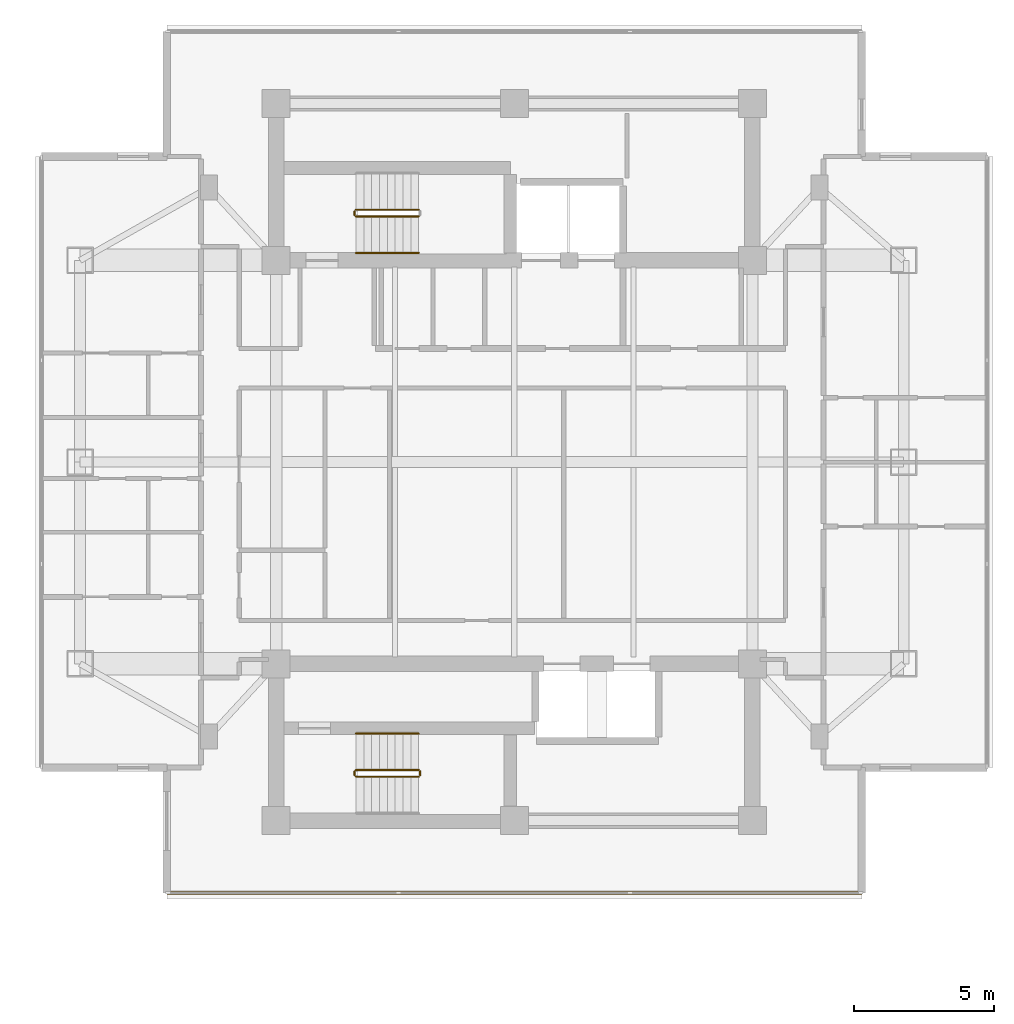
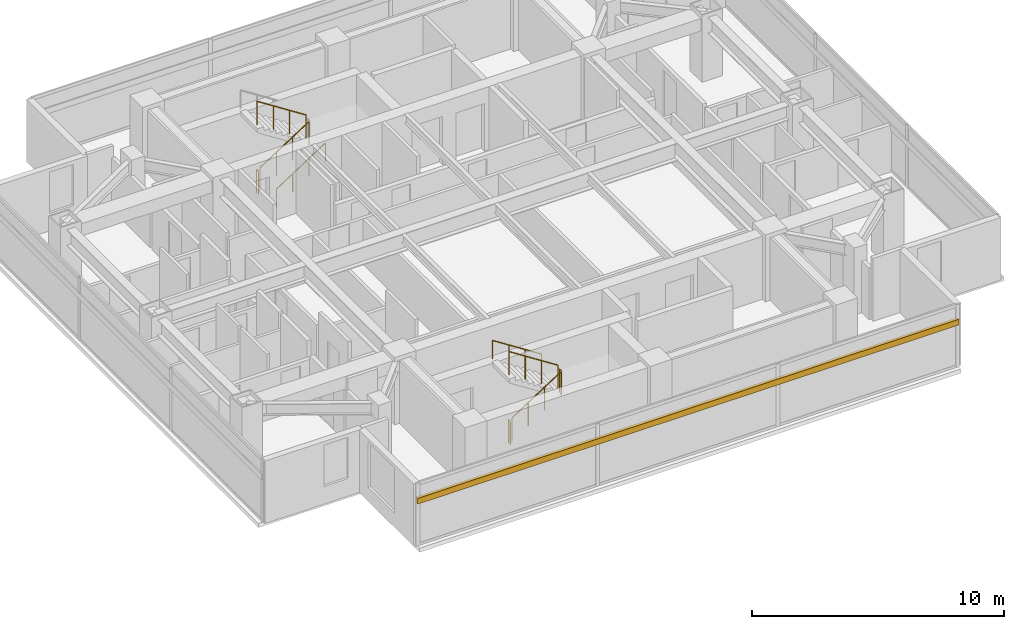
# One storey, part 22 of 24: 9 railings, 1 shading device.
"""IFC4 building model written with IfcOpenShell, lengths in metres."""

from ifc_helpers import new_model, si_unit, direction, frame, origin, origin_2d, place, context, subcontext, project, spatial, rectangle, circle, extrude, material, material_profile, profile_set, type_object, element, save


model = new_model("IFC4")

# Units and contexts
model_context = context("Model", 3, precision=1e-05, world=origin(), true_north=direction((0.0, 1.0)))
body_context = subcontext(model_context, "Body", "Model", "MODEL_VIEW")
ifc_project = project(units=[si_unit("LENGTHUNIT", "METRE"), si_unit("AREAUNIT", "SQUARE_METRE"), si_unit("VOLUMEUNIT", "CUBIC_METRE"), si_unit("PLANEANGLEUNIT", "RADIAN"), si_unit("MASSUNIT", "GRAM", prefix="KILO")], contexts=[model_context])

# Site, building, storey
site_placement = place(None, origin())
site = spatial("IfcSite", under=ifc_project, at=site_placement, CompositionType="ELEMENT")
building_placement = place(site_placement, origin())
building = spatial("IfcBuilding", under=site, at=building_placement, Name="Mirazonda Arch Towers", CompositionType="ELEMENT")
storey_placement = place(building_placement, frame((0.0, 0.0, 157.64990234375)))
storey = spatial("IfcBuildingStorey", under=building, at=storey_placement, Name="L44", CompositionType="ELEMENT", Elevation=157.64990234375)

# Shading device
ifc_material_1 = material(Name="Kiln-Fired Architectural Terracotta", Category="masonry")
ifc_material_profile = material_profile(ifc_material_1, rectangle(XDim=0.139892578125, YDim=0.280029296875, at=origin_2d()), Name="TERRA-BAG-140x280")
ifc_profile_set = profile_set([ifc_material_profile], Name="Kiln-Fired Architectural Terracotta")
shading_device_type = type_object("IfcShadingDeviceType", Name="BAGUETTE-3", PredefinedType="USERDEFINED", material=ifc_profile_set)
shading_device_placement = place(storey_placement, frame((88.9052734375, 12.625244140625, 2.181640625), z_axis=(-1.0, 0.0, 0.0), x_axis=(0.0, -1.0, 0.0)))
element("IfcShadingDevice", 1, at=shading_device_placement, inside=storey, type_object=shading_device_type, Name="L44 Glazed Terracotta Sun-Screen Baguette CW-L44-T2-S", ObjectType="BAGUETTE", PredefinedType="USERDEFINED", context=body_context, shape_type="SweptSolid", body=[
    extrude(rectangle(XDim=0.139892578125, YDim=0.280029296875, at=origin_2d()), origin(), (0.0, 0.0, 1.0), 24.810546875),
])

# Railings
ifc_material_2 = material(Name="Architectural Brushed Steel S355", Category="steel")
railing_type_1 = type_object("IfcRailingType", Name="GUARD-STAIR-1120", PredefinedType="GUARDRAIL", material=ifc_material_2)
railing_1_placement = place(storey_placement, frame((70.85009765625, 36.77001953125, 0.1806640625)))
element("IfcRailing", 2, at=railing_1_placement, inside=storey, type_object=railing_type_1, Name="L44 ST-T2N stair guard 1", PredefinedType="GUARDRAIL", context=body_context, shape_type="SweptSolid", body=[
    extrude(circle(Radius=0.02392578125, at=origin_2d()), frame((0.0, 0.0, 1.1259765625), z_axis=(0.840436612492, 0.0, 0.541909863706), x_axis=(0.0, 1.0, 0.0)), (0.0, 0.0, 1.0), 2.665283203125),
    extrude(circle(Radius=0.02099609375, at=origin_2d()), origin(), (0.0, 0.0, 1.0), 1.101806640625),
    extrude(circle(Radius=0.02099609375, at=origin_2d()), frame((0.74658203125, 0.0, 0.4814453125)), (0.0, 0.0, 1.0), 1.101806640625),
    extrude(circle(Radius=0.02099609375, at=origin_2d()), frame((1.493408203125, 0.0, 0.962890625)), (0.0, 0.0, 1.0), 1.101806640625),
    extrude(circle(Radius=0.02099609375, at=origin_2d()), frame((2.239990234375, 0.0, 1.4443359375)), (0.0, 0.0, 1.0), 1.101806640625),
])
railing_2_placement = place(storey_placement, frame((73.090087890625, 37.010009765625, 1.8056640625)))
element("IfcRailing", 3, at=railing_2_placement, inside=storey, type_object=railing_type_1, Name="L44 ST-T2N stair guard 3", PredefinedType="GUARDRAIL", context=body_context, shape_type="SweptSolid", body=[
    extrude(circle(Radius=0.02392578125, at=origin_2d()), frame((0.0, 0.0, 1.1259765625), z_axis=(-0.840436612492, 0.0, 0.541909863706), x_axis=(0.0, -1.0, 0.0)), (0.0, 0.0, 1.0), 2.665283203125),
    extrude(circle(Radius=0.02099609375, at=origin_2d()), origin(), (0.0, 0.0, 1.0), 1.101806640625),
    extrude(circle(Radius=0.02099609375, at=origin_2d()), frame((-0.74658203125, 0.0, 0.4814453125)), (0.0, 0.0, 1.0), 1.101806640625),
    extrude(circle(Radius=0.02099609375, at=origin_2d()), frame((-1.493408203125, 0.0, 0.962890625)), (0.0, 0.0, 1.0), 1.101806640625),
    extrude(circle(Radius=0.02099609375, at=origin_2d()), frame((-2.239990234375, 0.0, 1.4443359375)), (0.0, 0.0, 1.0), 1.101806640625),
])
railing_3_placement = place(storey_placement, frame((70.800048828125, 36.820068359375, 0.0)))
element("IfcRailing", 4, at=railing_3_placement, inside=storey, type_object=railing_type_1, Name="L44 ST-T2N stair guard 4", PredefinedType="GUARDRAIL", context=body_context, shape_type="SweptSolid", body=[
    extrude(circle(Radius=0.02392578125, at=origin_2d()), frame((0.0, 0.0, 1.1259765625), z_axis=(0.0, 1.0, 0.0), x_axis=(-1.0, 0.0, 0.0)), (0.0, 0.0, 1.0), 0.139892578125),
    extrude(circle(Radius=0.02099609375, at=origin_2d()), origin(), (0.0, 0.0, 1.0), 1.101806640625),
    extrude(circle(Radius=0.02099609375, at=origin_2d()), frame((0.0, 0.139892578125, 0.0)), (0.0, 0.0, 1.0), 1.101806640625),
])
railing_4_placement = place(storey_placement, frame((70.85009765625, 16.77001953125, 0.1806640625)))
element("IfcRailing", 5, at=railing_4_placement, inside=storey, type_object=railing_type_1, Name="L44 ST-T2S stair guard 1", PredefinedType="GUARDRAIL", context=body_context, shape_type="SweptSolid", body=[
    extrude(circle(Radius=0.02392578125, at=origin_2d()), frame((0.0, 0.0, 1.1259765625), z_axis=(0.840436612492, 0.0, 0.541909863706), x_axis=(0.0, 1.0, 0.0)), (0.0, 0.0, 1.0), 2.665283203125),
    extrude(circle(Radius=0.02099609375, at=origin_2d()), origin(), (0.0, 0.0, 1.0), 1.101806640625),
    extrude(circle(Radius=0.02099609375, at=origin_2d()), frame((0.74658203125, 0.0, 0.4814453125)), (0.0, 0.0, 1.0), 1.101806640625),
    extrude(circle(Radius=0.02099609375, at=origin_2d()), frame((1.493408203125, 0.0, 0.962890625)), (0.0, 0.0, 1.0), 1.101806640625),
    extrude(circle(Radius=0.02099609375, at=origin_2d()), frame((2.239990234375, 0.0, 1.4443359375)), (0.0, 0.0, 1.0), 1.101806640625),
])
railing_5_placement = place(storey_placement, frame((73.139892578125, 16.820068359375, 1.625)))
element("IfcRailing", 6, at=railing_5_placement, inside=storey, type_object=railing_type_1, Name="L44 ST-T2S stair guard 2", PredefinedType="GUARDRAIL", context=body_context, shape_type="SweptSolid", body=[
    extrude(circle(Radius=0.02392578125, at=origin_2d()), frame((0.0, 0.0, 1.1259765625), z_axis=(0.0, 1.0, 0.0), x_axis=(-1.0, 0.0, 0.0)), (0.0, 0.0, 1.0), 0.139892578125),
    extrude(circle(Radius=0.02099609375, at=origin_2d()), origin(), (0.0, 0.0, 1.0), 1.101806640625),
    extrude(circle(Radius=0.02099609375, at=origin_2d()), frame((0.0, 0.139892578125, 0.0)), (0.0, 0.0, 1.0), 1.101806640625),
])
railing_6_placement = place(storey_placement, frame((73.090087890625, 17.010009765625, 1.8056640625)))
element("IfcRailing", 7, at=railing_6_placement, inside=storey, type_object=railing_type_1, Name="L44 ST-T2S stair guard 3", PredefinedType="GUARDRAIL", context=body_context, shape_type="SweptSolid", body=[
    extrude(circle(Radius=0.02392578125, at=origin_2d()), frame((0.0, 0.0, 1.1259765625), z_axis=(-0.840436612492, 0.0, 0.541909863706), x_axis=(0.0, -1.0, 0.0)), (0.0, 0.0, 1.0), 2.665283203125),
    extrude(circle(Radius=0.02099609375, at=origin_2d()), origin(), (0.0, 0.0, 1.0), 1.101806640625),
    extrude(circle(Radius=0.02099609375, at=origin_2d()), frame((-0.74658203125, 0.0, 0.4814453125)), (0.0, 0.0, 1.0), 1.101806640625),
    extrude(circle(Radius=0.02099609375, at=origin_2d()), frame((-1.493408203125, 0.0, 0.962890625)), (0.0, 0.0, 1.0), 1.101806640625),
    extrude(circle(Radius=0.02099609375, at=origin_2d()), frame((-2.239990234375, 0.0, 1.4443359375)), (0.0, 0.0, 1.0), 1.101806640625),
])
railing_7_placement = place(storey_placement, frame((70.800048828125, 16.820068359375, 0.0)))
element("IfcRailing", 8, at=railing_7_placement, inside=storey, type_object=railing_type_1, Name="L44 ST-T2S stair guard 4", PredefinedType="GUARDRAIL", context=body_context, shape_type="SweptSolid", body=[
    extrude(circle(Radius=0.02392578125, at=origin_2d()), frame((0.0, 0.0, 1.1259765625), z_axis=(0.0, 1.0, 0.0), x_axis=(-1.0, 0.0, 0.0)), (0.0, 0.0, 1.0), 0.139892578125),
    extrude(circle(Radius=0.02099609375, at=origin_2d()), origin(), (0.0, 0.0, 1.0), 1.101806640625),
    extrude(circle(Radius=0.02099609375, at=origin_2d()), frame((0.0, 0.139892578125, 0.0)), (0.0, 0.0, 1.0), 1.101806640625),
])
railing_type_2 = type_object("IfcRailingType", Name="HANDRAIL-915", PredefinedType="HANDRAIL", material=ifc_material_2)
railing_8_placement = place(storey_placement, frame((70.85009765625, 35.469970703125, 0.1806640625)))
element("IfcRailing", 9, at=railing_8_placement, inside=storey, type_object=railing_type_2, Name="L44 ST-T2N stair handrail 1", PredefinedType="HANDRAIL", context=body_context, shape_type="SweptSolid", body=[
    extrude(circle(Radius=0.02392578125, at=origin_2d()), frame((0.0, 0.0, 0.8759765625), z_axis=(0.840436612492, 0.0, 0.541909863706), x_axis=(0.0, 1.0, 0.0)), (0.0, 0.0, 1.0), 2.665283203125),
    extrude(circle(Radius=0.02099609375, at=origin_2d()), origin(), (0.0, 0.0, 1.0), 0.851806640625),
    extrude(circle(Radius=0.02099609375, at=origin_2d()), frame((0.74658203125, 0.0, 0.4814453125)), (0.0, 0.0, 1.0), 0.851806640625),
    extrude(circle(Radius=0.02099609375, at=origin_2d()), frame((1.493408203125, 0.0, 0.962890625)), (0.0, 0.0, 1.0), 0.851806640625),
    extrude(circle(Radius=0.02099609375, at=origin_2d()), frame((2.239990234375, 0.0, 1.4443359375)), (0.0, 0.0, 1.0), 0.851806640625),
])
railing_9_placement = place(storey_placement, frame((73.090087890625, 18.31005859375, 1.8056640625)))
element("IfcRailing", 10, at=railing_9_placement, inside=storey, type_object=railing_type_2, Name="L44 ST-T2S stair handrail 2", PredefinedType="HANDRAIL", context=body_context, shape_type="SweptSolid", body=[
    extrude(circle(Radius=0.02392578125, at=origin_2d()), frame((0.0, 0.0, 0.8759765625), z_axis=(-0.840436612492, 0.0, 0.541909863706), x_axis=(0.0, -1.0, 0.0)), (0.0, 0.0, 1.0), 2.665283203125),
    extrude(circle(Radius=0.02099609375, at=origin_2d()), origin(), (0.0, 0.0, 1.0), 0.851806640625),
    extrude(circle(Radius=0.02099609375, at=origin_2d()), frame((-0.74658203125, 0.0, 0.4814453125)), (0.0, 0.0, 1.0), 0.851806640625),
    extrude(circle(Radius=0.02099609375, at=origin_2d()), frame((-1.493408203125, 0.0, 0.962890625)), (0.0, 0.0, 1.0), 0.851806640625),
    extrude(circle(Radius=0.02099609375, at=origin_2d()), frame((-2.239990234375, 0.0, 1.4443359375)), (0.0, 0.0, 1.0), 0.851806640625),
])

save(model, "model.ifc")
